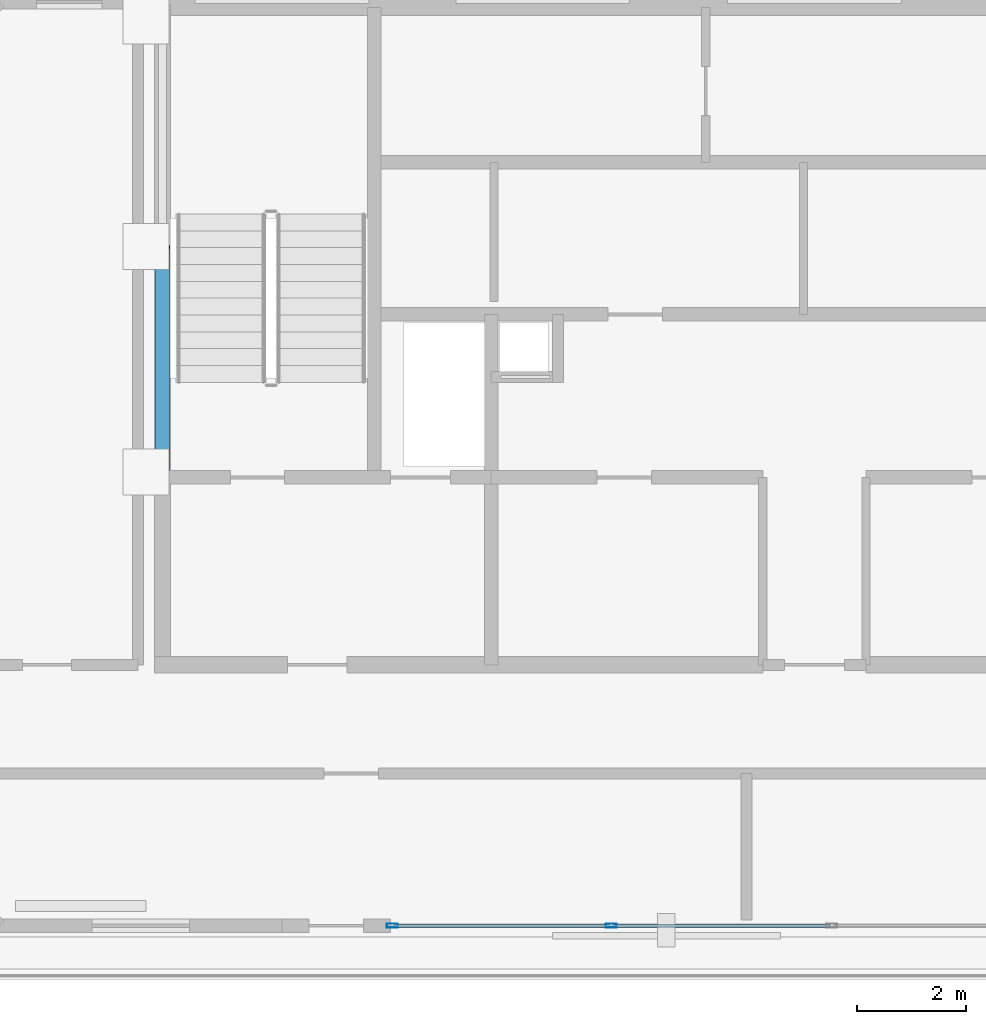
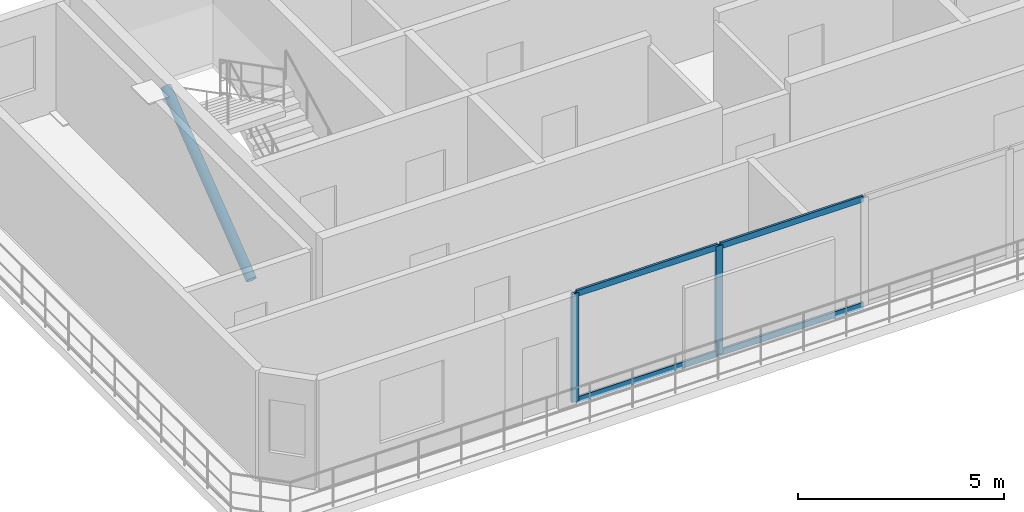
# One storey, part 1 of 6: 7 members, 1 element without a shape of its own.
"""IFC4 building model written with IfcOpenShell, lengths in metres."""

from ifc_helpers import new_model, si_unit, direction, frame, origin, origin_2d, place, context, subcontext, project, spatial, hollow_rectangle, hollow_circle, extrude, material, layer, layer_set, material_profile, profile_set, type_object, element, aggregate, save


model = new_model("IFC4")

# Units and contexts
model_context = context("Model", 3, precision=1e-05, world=origin(), true_north=direction((0.0, 1.0)))
body_context = subcontext(model_context, "Body", "Model", "MODEL_VIEW")
ifc_project = project(units=[si_unit("LENGTHUNIT", "METRE"), si_unit("AREAUNIT", "SQUARE_METRE"), si_unit("VOLUMEUNIT", "CUBIC_METRE"), si_unit("PLANEANGLEUNIT", "RADIAN"), si_unit("MASSUNIT", "GRAM", prefix="KILO")], contexts=[model_context])

# Site, building, storey
site_placement = place(None, origin())
site = spatial("IfcSite", under=ifc_project, at=site_placement, CompositionType="ELEMENT")
building_placement = place(site_placement, origin())
building = spatial("IfcBuilding", under=site, at=building_placement, Name="Catumbela Crestline Tower", CompositionType="ELEMENT")
storey_placement = place(building_placement, frame((0.0, 0.0, 304.5)))
storey = spatial("IfcBuildingStorey", under=building, at=storey_placement, Name="L78", CompositionType="ELEMENT", Elevation=304.5)

# Member
ifc_material_1 = material(Name="Structural steel S355J2", Category="steel")
ifc_material_profile_1 = material_profile(ifc_material_1, hollow_circle(Radius=0.1365, WallThickness=0.016, at=origin_2d()), Name="CHS 273x16")
ifc_profile_set_1 = profile_set([ifc_material_profile_1], Name="Structural steel S355J2")
member_type_1 = type_object("IfcMemberType", Name="CB-273", PredefinedType="BRACE", material=ifc_profile_set_1)
member_1_placement = place(storey_placement, frame((16.0, 34.35, 0.01), z_axis=(0.0, 0.791914074685, 0.610632539516), x_axis=(-1.0, 0.0, 0.0)))
element("IfcMember", 1, at=member_1_placement, inside=storey, type_object=member_type_1, Name="L78 Crown Wind Frame Brace 1", PredefinedType="BRACE", context=body_context, shape_type="SweptSolid", body=[
    extrude(hollow_circle(Radius=0.1365, WallThickness=0.016, at=origin_2d()), origin(), (0.0, 0.0, 1.0), 5.2405),
])

# Curtain wall, members
ifc_material_2 = material(Name="Aluminium alloy AW-6060-T66", Category="aluminium")
ifc_layer = layer(ifc_material_2, 0.18, Name="Aluminium alloy AW-6060-T66")
ifc_layer_set = layer_set([ifc_layer], Name="Aluminium alloy AW-6060-T66")
curtain_wall_type = type_object("IfcCurtainWallType", Name="CWS-OBS", PredefinedType="USERDEFINED", material=ifc_layer_set)
curtain_wall_placement = place(storey_placement, origin())
curtain_wall = element("IfcCurtainWall", 2, at=curtain_wall_placement, inside=storey, type_object=curtain_wall_type, Name="L78 Stick Curtain Wall CW-L78-E0S2", ObjectType="STICK", PredefinedType="USERDEFINED")
ifc_material_profile_2 = material_profile(ifc_material_2, hollow_rectangle(XDim=0.075, YDim=0.2, WallThickness=0.005, at=origin_2d()), Name="ALU 200x75x5")
ifc_profile_set_2 = profile_set([ifc_material_profile_2], Name="Aluminium alloy AW-6060-T66")
member_type_2 = type_object("IfcMemberType", Name="MUL-200X75", PredefinedType="MULLION", material=ifc_profile_set_2)
member_2_placement = place(storey_placement, frame((20.2325, 26.0, 0.0), z_axis=(0.0, 0.0, 1.0), x_axis=(0.0, 1.0, 0.0)))
member_2 = element("IfcMember", 3, at=member_2_placement, type_object=member_type_2, Name="CWS-OBS mullion 1", PredefinedType="MULLION", context=body_context, shape_type="SweptSolid", body=[
    extrude(hollow_rectangle(XDim=0.075, YDim=0.2, WallThickness=0.005, at=origin_2d()), origin(), (0.0, 0.0, 1.0), 3.21),
])
member_3_placement = place(storey_placement, frame((24.26, 26.0, 0.0), z_axis=(0.0, 0.0, 1.0), x_axis=(0.0, 1.0, 0.0)))
member_3 = element("IfcMember", 4, at=member_3_placement, type_object=member_type_2, Name="CWS-OBS mullion 2", PredefinedType="MULLION", context=body_context, shape_type="SweptSolid", body=[
    extrude(hollow_rectangle(XDim=0.075, YDim=0.2, WallThickness=0.005, at=origin_2d()), origin(), (0.0, 0.0, 1.0), 3.21),
])
ifc_material_profile_3 = material_profile(ifc_material_2, hollow_rectangle(XDim=0.065, YDim=0.18, WallThickness=0.004, at=origin_2d()), Name="ALU 180x65x4")
ifc_profile_set_3 = profile_set([ifc_material_profile_3], Name="Aluminium alloy AW-6060-T66")
member_type_3 = type_object("IfcMemberType", Name="TRN-180X65", PredefinedType="USERDEFINED", material=ifc_profile_set_3)
member_4_placement = place(storey_placement, frame((20.265, 26.0, 0.03), z_axis=(1.0, 0.0, 0.0), x_axis=(0.0, 1.0, 0.0)))
member_4 = element("IfcMember", 5, at=member_4_placement, type_object=member_type_3, Name="CWS-OBS transom 1.1", ObjectType="TRANSOM", PredefinedType="USERDEFINED", context=body_context, shape_type="SweptSolid", body=[
    extrude(hollow_rectangle(XDim=0.065, YDim=0.18, WallThickness=0.004, at=origin_2d()), origin(), (0.0, 0.0, 1.0), 3.9625),
])
member_5_placement = place(storey_placement, frame((20.265, 26.0, 3.18), z_axis=(1.0, 0.0, 0.0), x_axis=(0.0, 1.0, 0.0)))
member_5 = element("IfcMember", 6, at=member_5_placement, type_object=member_type_3, Name="CWS-OBS transom 1.2", ObjectType="TRANSOM", PredefinedType="USERDEFINED", context=body_context, shape_type="SweptSolid", body=[
    extrude(hollow_rectangle(XDim=0.065, YDim=0.18, WallThickness=0.004, at=origin_2d()), origin(), (0.0, 0.0, 1.0), 3.9625),
])
member_6_placement = place(storey_placement, frame((24.2925, 26.0, 0.03), z_axis=(1.0, 0.0, 0.0), x_axis=(0.0, 1.0, 0.0)))
member_6 = element("IfcMember", 7, at=member_6_placement, type_object=member_type_3, Name="CWS-OBS transom 2.1", ObjectType="TRANSOM", PredefinedType="USERDEFINED", context=body_context, shape_type="SweptSolid", body=[
    extrude(hollow_rectangle(XDim=0.065, YDim=0.18, WallThickness=0.004, at=origin_2d()), origin(), (0.0, 0.0, 1.0), 3.995),
])
member_7_placement = place(storey_placement, frame((24.2925, 26.0, 3.18), z_axis=(1.0, 0.0, 0.0), x_axis=(0.0, 1.0, 0.0)))
member_7 = element("IfcMember", 8, at=member_7_placement, type_object=member_type_3, Name="CWS-OBS transom 2.2", ObjectType="TRANSOM", PredefinedType="USERDEFINED", context=body_context, shape_type="SweptSolid", body=[
    extrude(hollow_rectangle(XDim=0.065, YDim=0.18, WallThickness=0.004, at=origin_2d()), origin(), (0.0, 0.0, 1.0), 3.995),
])
aggregate(curtain_wall, [member_2, member_3, member_4, member_5, member_6, member_7])

save(model, "model.ifc")
